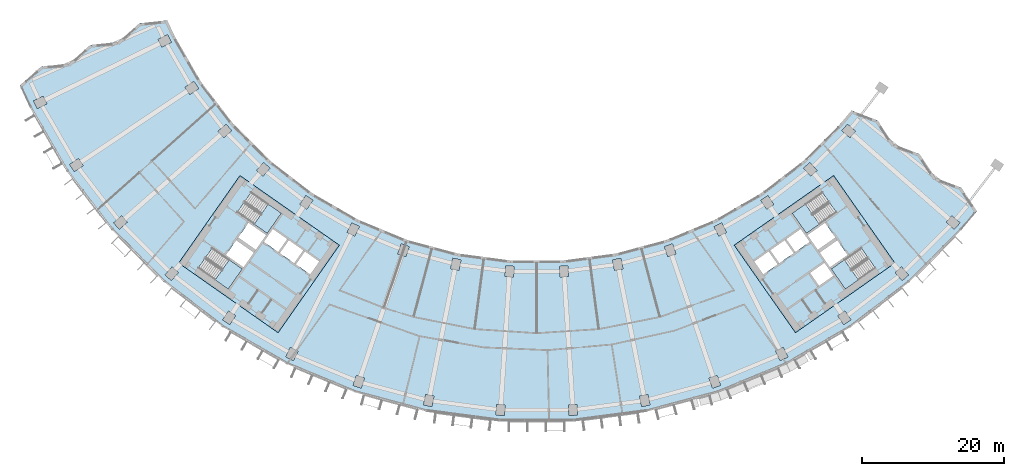
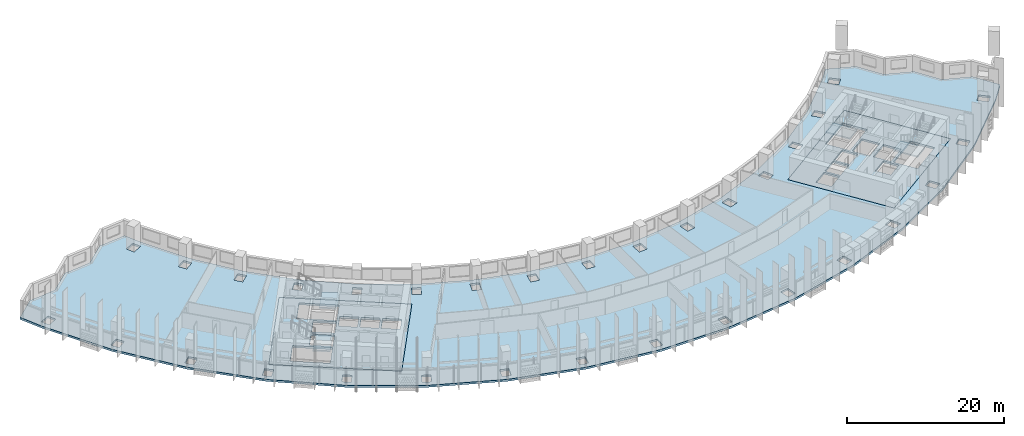
# One storey, part 2 of 29: 7 slabs, 4 elements without a shape of their own.
"""IFC4 building model written with IfcOpenShell, lengths in metres."""

from ifc_helpers import new_model, si_unit, direction, frame, origin, place, context, subcontext, project, spatial, polyline, outline, extrude, material, layer, layer_set, type_object, element, aggregate, save


model = new_model("IFC4")

# Units and contexts
model_context = context("Model", 3, precision=1e-05, world=origin(), true_north=direction((0.0, 1.0)))
body_context = subcontext(model_context, "Body", "Model", "MODEL_VIEW")
ifc_project = project(units=[si_unit("LENGTHUNIT", "METRE"), si_unit("AREAUNIT", "SQUARE_METRE"), si_unit("VOLUMEUNIT", "CUBIC_METRE"), si_unit("PLANEANGLEUNIT", "RADIAN"), si_unit("MASSUNIT", "GRAM", prefix="KILO")], contexts=[model_context])

# Site, building, storey
site_placement = place(None, origin())
site = spatial("IfcSite", under=ifc_project, at=site_placement, CompositionType="ELEMENT")
building_placement = place(site_placement, origin())
building = spatial("IfcBuilding", under=site, at=building_placement, Name="Qamariyya Broadcast Tower", CompositionType="ELEMENT")
storey_placement = place(building_placement, frame((0.0, 0.0, 132.89990234375)))
storey = spatial("IfcBuildingStorey", under=building, at=storey_placement, Name="L30", CompositionType="ELEMENT", Elevation=132.89990234375)

# Slabs
ifc_material_1 = material(Name="Concrete C40/50", Category="concrete")
ifc_layer_1 = layer(ifc_material_1, 0.300048828125)
ifc_layer_set_1 = layer_set([ifc_layer_1], Name="Core floor slab 300 mm Concrete C40/50")
slab_type_1 = type_object("IfcSlabType", Name="Core floor slab 300 mm Concrete C40/50", PredefinedType="FLOOR", material=ifc_layer_set_1)
slab_1_placement = place(storey_placement, frame((0.0, 0.0, -0.2998046875)))
element("IfcSlab", 1, at=slab_1_placement, inside=storey, type_object=slab_type_1, Name="k-W-L30-slab", PredefinedType="FLOOR", context=body_context, shape_type="SweptSolid", body=[
    extrude(outline(polyline([(-50.286376953125, -56.95751953125), (-36.32373046875, -66.734375), (-27.719970703125, -54.447021484375), (-41.6826171875, -44.67041015625), (-50.286376953125, -56.95751953125)]), holes=[polyline([(-31.80859375, -58.542724609375), (-33.8154296875, -57.137451171875), (-32.5537109375, -55.335205078125), (-30.546630859375, -56.740478515625), (-31.80859375, -58.542724609375)]), polyline([(-34.061279296875, -56.96533203125), (-36.068115234375, -55.56005859375), (-34.806396484375, -53.758056640625), (-32.79931640625, -55.163330078125), (-34.061279296875, -56.96533203125)]), polyline([(-36.31396484375, -55.387939453125), (-38.32080078125, -53.982666015625), (-37.058837890625, -52.1806640625), (-35.052001953125, -53.5859375), (-36.31396484375, -55.387939453125)]), polyline([(-39.742431640625, -55.489990234375), (-42.199951171875, -53.769287109375), (-43.6337890625, -55.817138671875), (-41.17626953125, -57.537841796875), (-39.742431640625, -55.489990234375)]), polyline([(-39.45556640625, -55.080322265625), (-41.9130859375, -53.359619140625), (-40.47900390625, -51.311767578125), (-38.021728515625, -53.032470703125), (-39.45556640625, -55.080322265625)]), polyline([(-42.06103515625, -49.837890625), (-37.849609375, -52.78662109375), (-35.870849609375, -49.960693359375), (-40.082275390625, -47.01171875), (-42.06103515625, -49.837890625)]), polyline([(-47.538818359375, -57.66064453125), (-43.3271484375, -60.609619140625), (-41.348388671875, -57.783447265625), (-45.559814453125, -54.834716796875), (-47.538818359375, -57.66064453125)])]), origin(), (0.0, 0.0, 1.0), 0.2998046875),
])
slab_2_placement = place(storey_placement, frame((0.0, 0.0, -0.2998046875)))
element("IfcSlab", 2, at=slab_2_placement, inside=storey, type_object=slab_type_1, Name="k-E-L30-slab", PredefinedType="FLOOR", context=body_context, shape_type="SweptSolid", body=[
    extrude(outline(polyline([(36.32373046875, -66.734375), (50.286376953125, -56.95751953125), (41.6826171875, -44.67041015625), (27.719970703125, -54.447021484375), (36.32373046875, -66.734375)]), holes=[polyline([(31.80859375, -58.542724609375), (33.8154296875, -57.137451171875), (32.5537109375, -55.335205078125), (30.546630859375, -56.740478515625), (31.80859375, -58.542724609375)]), polyline([(34.061279296875, -56.96533203125), (36.068115234375, -55.56005859375), (34.806396484375, -53.758056640625), (32.79931640625, -55.163330078125), (34.061279296875, -56.96533203125)]), polyline([(36.31396484375, -55.387939453125), (38.32080078125, -53.982666015625), (37.058837890625, -52.1806640625), (35.052001953125, -53.5859375), (36.31396484375, -55.387939453125)]), polyline([(38.378662109375, -58.3369140625), (40.3857421875, -56.931640625), (41.6474609375, -58.73388671875), (39.640625, -60.13916015625), (38.378662109375, -58.3369140625)]), polyline([(39.742431640625, -55.489990234375), (42.199951171875, -53.769287109375), (43.6337890625, -55.817138671875), (41.17626953125, -57.537841796875), (39.742431640625, -55.489990234375)]), polyline([(39.45556640625, -55.080322265625), (41.9130859375, -53.359619140625), (40.47900390625, -51.311767578125), (38.021728515625, -53.032470703125), (39.45556640625, -55.080322265625)]), polyline([(40.082275390625, -47.01171875), (35.870849609375, -49.960693359375), (37.849609375, -52.78662109375), (42.06103515625, -49.837890625), (40.082275390625, -47.01171875)]), polyline([(45.559814453125, -54.834716796875), (41.348388671875, -57.783447265625), (43.3271484375, -60.609619140625), (47.538818359375, -57.66064453125), (45.559814453125, -54.834716796875)])]), origin(), (0.0, 0.0, 1.0), 0.2998046875),
])
ifc_layer_2 = layer(ifc_material_1, 0.300048828125)
ifc_layer_set_2 = layer_set([ifc_layer_2], Name="Post-tensioned floor slab 300 C40/50")
slab_type_2 = type_object("IfcSlabType", Name="Post-tensioned floor slab 300 C40/50", PredefinedType="FLOOR", material=ifc_layer_set_2)
slab_3_placement = place(storey_placement, frame((0.0, 0.0, -0.2998046875)))
element("IfcSlab", 3, at=slab_3_placement, inside=storey, type_object=slab_type_2, Name="Floor slab S4 L30", PredefinedType="FLOOR", context=body_context, shape_type="SweptSolid", body=[
    extrude(outline(polyline([(-69.592529296875, -29.362548828125), (-72.56396484375, -31.983642578125), (-71.1220703125, -35.073486328125), (-65.935546875, -44.056640625), (-59.620849609375, -52.2861328125), (-52.2861328125, -59.620849609375), (-44.056640625, -65.935546875), (-35.073486328125, -71.1220703125), (-25.490234375, -75.091552734375), (-15.470703125, -77.7763671875), (-5.1865234375, -79.130126953125), (5.1865234375, -79.130126953125), (15.470703125, -77.7763671875), (25.490234375, -75.091552734375), (35.073486328125, -71.1220703125), (44.056640625, -65.935546875), (52.2861328125, -59.620849609375), (59.620849609375, -52.2861328125), (61.8134765625, -49.6748046875), (59.62158203125, -46.373779296875), (55.94140625, -44.955810546875), (53.748779296875, -41.654296875), (50.0693359375, -40.23681640625), (47.87548828125, -36.934326171875), (44.197021484375, -35.517822265625), (42.62939453125, -37.385009765625), (37.385009765625, -42.62939453125), (31.500732421875, -47.144287109375), (25.077880859375, -50.852783203125), (18.2255859375, -53.69091796875), (11.0615234375, -55.610595703125), (3.708251953125, -56.57861328125), (-3.708251953125, -56.57861328125), (-11.0615234375, -55.610595703125), (-18.2255859375, -53.69091796875), (-25.077880859375, -50.852783203125), (-31.500732421875, -47.144287109375), (-37.385009765625, -42.62939453125), (-42.62939453125, -37.385009765625), (-47.144287109375, -31.500732421875), (-50.852783203125, -25.077880859375), (-51.8837890625, -22.868408203125), (-55.803466796875, -23.284912109375), (-58.777099609375, -25.90673828125), (-62.6982421875, -26.32373046875), (-65.670654296875, -28.9453125), (-69.592529296875, -29.362548828125)]), holes=[polyline([(-5.73291015625, -78.292724609375), (-5.634765625, -76.7958984375), (-4.437255859375, -76.874267578125), (-4.535400390625, -78.37109375), (-5.73291015625, -78.292724609375)]), polyline([(-15.903076171875, -76.87451171875), (-15.6103515625, -75.4033203125), (-14.43359375, -75.637451171875), (-14.72607421875, -77.108642578125), (-15.903076171875, -76.87451171875)]), polyline([(-25.80126953125, -74.14111328125), (-25.319091796875, -72.720703125), (-24.1826171875, -73.1064453125), (-24.664794921875, -74.52685546875), (-25.80126953125, -74.14111328125)]), polyline([(-35.2578125, -70.13916015625), (-34.59423828125, -68.7939453125), (-33.51806640625, -69.324462890625), (-34.181640625, -70.669921875), (-35.2578125, -70.13916015625)]), polyline([(-44.111083984375, -64.93701171875), (-43.27783203125, -63.689697265625), (-42.280029296875, -64.3564453125), (-43.11328125, -65.603759765625), (-44.111083984375, -64.93701171875)]), polyline([(-52.209716796875, -58.623779296875), (-51.220703125, -57.49609375), (-50.318603515625, -58.287353515625), (-51.3076171875, -59.4150390625), (-52.209716796875, -58.623779296875)]), polyline([(-12.098876953125, -57.749267578125), (-11.80615234375, -56.278076171875), (-10.629150390625, -56.51220703125), (-10.921875, -57.9833984375), (-12.098876953125, -57.749267578125)]), polyline([(-41.6826171875, -44.67041015625), (-27.719970703125, -54.447021484375), (-36.32373046875, -66.734375), (-50.286376953125, -56.95751953125), (-41.6826171875, -44.67041015625)]), polyline([(-19.051025390625, -54.255615234375), (-17.91455078125, -54.641357421875), (-18.396728515625, -56.061767578125), (-19.533203125, -55.676025390625), (-19.051025390625, -54.255615234375)]), polyline([(-26.633056640625, -52.650146484375), (-25.9697265625, -51.3046875), (-24.8935546875, -51.83544921875), (-25.556884765625, -53.180908203125), (-26.633056640625, -52.650146484375)]), polyline([(-59.4150390625, -51.3076171875), (-58.287353515625, -50.318603515625), (-57.49609375, -51.220703125), (-58.623779296875, -52.209716796875), (-59.4150390625, -51.3076171875)]), polyline([(-33.277587890625, -48.723388671875), (-32.444091796875, -47.47607421875), (-31.4462890625, -48.142822265625), (-32.27978515625, -49.39013671875), (-33.277587890625, -48.723388671875)]), polyline([(-39.3525390625, -43.962890625), (-38.363525390625, -42.835205078125), (-37.461181640625, -43.62646484375), (-38.4501953125, -44.754150390625), (-39.3525390625, -43.962890625)]), polyline([(-65.603759765625, -43.11328125), (-64.3564453125, -42.280029296875), (-63.689697265625, -43.27783203125), (-64.93701171875, -44.111083984375), (-65.603759765625, -43.11328125)]), polyline([(-44.754150390625, -38.4501953125), (-43.62646484375, -37.461181640625), (-42.835205078125, -38.363525390625), (-43.962890625, -39.3525390625), (-44.754150390625, -38.4501953125)]), polyline([(-70.669921875, -34.181640625), (-69.324462890625, -33.51806640625), (-68.7939453125, -34.59423828125), (-70.13916015625, -35.2578125), (-70.669921875, -34.181640625)]), polyline([(-48.142822265625, -31.4462890625), (-47.47607421875, -32.444091796875), (-48.723388671875, -33.277587890625), (-49.39013671875, -32.27978515625), (-48.142822265625, -31.4462890625)]), polyline([(-51.83544921875, -24.8935546875), (-51.3046875, -25.9697265625), (-52.650146484375, -26.633056640625), (-53.180908203125, -25.556884765625), (-51.83544921875, -24.8935546875)]), polyline([(4.535400390625, -78.37109375), (4.437255859375, -76.874267578125), (5.634765625, -76.7958984375), (5.73291015625, -78.292724609375), (4.535400390625, -78.37109375)]), polyline([(14.72607421875, -77.108642578125), (14.43359375, -75.637451171875), (15.6103515625, -75.4033203125), (15.903076171875, -76.87451171875), (14.72607421875, -77.108642578125)]), polyline([(24.664794921875, -74.52685546875), (24.1826171875, -73.1064453125), (25.319091796875, -72.720703125), (25.80126953125, -74.14111328125), (24.664794921875, -74.52685546875)]), polyline([(34.181640625, -70.669921875), (33.51806640625, -69.324462890625), (34.59423828125, -68.7939453125), (35.2578125, -70.13916015625), (34.181640625, -70.669921875)]), polyline([(43.11328125, -65.603759765625), (42.280029296875, -64.3564453125), (43.27783203125, -63.689697265625), (44.111083984375, -64.93701171875), (43.11328125, -65.603759765625)]), polyline([(51.3076171875, -59.4150390625), (50.318603515625, -58.287353515625), (51.220703125, -57.49609375), (52.209716796875, -58.623779296875), (51.3076171875, -59.4150390625)]), polyline([(3.260009765625, -58.912841796875), (3.161865234375, -57.416015625), (4.359375, -57.337646484375), (4.45751953125, -58.83447265625), (3.260009765625, -58.912841796875)]), polyline([(-4.359375, -57.337646484375), (-3.161865234375, -57.416015625), (-3.260009765625, -58.912841796875), (-4.45751953125, -58.83447265625), (-4.359375, -57.337646484375)]), polyline([(10.629150390625, -56.51220703125), (11.80615234375, -56.278076171875), (12.098876953125, -57.749267578125), (10.921875, -57.9833984375), (10.629150390625, -56.51220703125)]), polyline([(36.32373046875, -66.734375), (27.719970703125, -54.447021484375), (41.6826171875, -44.67041015625), (50.286376953125, -56.95751953125), (36.32373046875, -66.734375)]), polyline([(18.396728515625, -56.061767578125), (17.91455078125, -54.641357421875), (19.051025390625, -54.255615234375), (19.533203125, -55.676025390625), (18.396728515625, -56.061767578125)]), polyline([(25.556884765625, -53.180908203125), (24.8935546875, -51.83544921875), (25.9697265625, -51.3046875), (26.633056640625, -52.650146484375), (25.556884765625, -53.180908203125)]), polyline([(58.623779296875, -52.209716796875), (57.49609375, -51.220703125), (58.287353515625, -50.318603515625), (59.4150390625, -51.3076171875), (58.623779296875, -52.209716796875)]), polyline([(32.27978515625, -49.39013671875), (31.4462890625, -48.142822265625), (32.444091796875, -47.47607421875), (33.277587890625, -48.723388671875), (32.27978515625, -49.39013671875)]), polyline([(38.4501953125, -44.754150390625), (37.461181640625, -43.62646484375), (38.363525390625, -42.835205078125), (39.3525390625, -43.962890625), (38.4501953125, -44.754150390625)]), polyline([(42.835205078125, -38.363525390625), (43.62646484375, -37.461181640625), (44.754150390625, -38.4501953125), (43.962890625, -39.3525390625), (42.835205078125, -38.363525390625)])]), origin(), (0.0, 0.0, 1.0), 0.2998046875),
])

# Stair, slab
ifc_material_2 = material(Name="Concrete C50/60", Category="concrete")
stair_type = type_object("IfcStairType", Name="Exit stair 22 risers of 173 mm", PredefinedType="HALF_TURN_STAIR", material=ifc_material_2)
stair_1_placement = place(storey_placement, origin())
stair_1 = element("IfcStair", 4, at=stair_1_placement, inside=storey, type_object=stair_type, Name="L30 Stair W2", PredefinedType="HALF_TURN_STAIR")
ifc_layer_3 = layer(ifc_material_2, 0.199951171875)
ifc_layer_set_3 = layer_set([ifc_layer_3], Name="Stair landing")
slab_type_3 = type_object("IfcSlabType", Name="Stair landing", PredefinedType="LANDING", material=ifc_layer_set_3)
slab_4_placement = place(storey_placement, frame((0.0, 0.0, 1.7001953125)))
slab_4 = element("IfcSlab", 5, at=slab_4_placement, type_object=slab_type_3, Name="ST-W2 landing 1", PredefinedType="LANDING", context=body_context, shape_type="SweptSolid", body=[
    extrude(outline(polyline([(-39.692138671875, -51.49658203125), (-37.849609375, -52.78662109375), (-35.870849609375, -49.960693359375), (-37.71337890625, -48.67041015625), (-39.692138671875, -51.49658203125)])), origin(), (0.0, 0.0, 1.0), 0.199951171875),
])
aggregate(stair_1, [slab_4])

stair_2_placement = place(storey_placement, origin())
stair_2 = element("IfcStair", 6, at=stair_2_placement, inside=storey, type_object=stair_type, Name="L30 Stair W1", PredefinedType="HALF_TURN_STAIR")
slab_5_placement = place(storey_placement, frame((0.0, 0.0, 1.7001953125)))
slab_5 = element("IfcSlab", 7, at=slab_5_placement, type_object=slab_type_3, Name="ST-W1 landing 1", PredefinedType="LANDING", context=body_context, shape_type="SweptSolid", body=[
    extrude(outline(polyline([(-45.169677734375, -59.319580078125), (-43.3271484375, -60.609619140625), (-41.348388671875, -57.783447265625), (-43.19091796875, -56.493408203125), (-45.169677734375, -59.319580078125)])), origin(), (0.0, 0.0, 1.0), 0.199951171875),
])
aggregate(stair_2, [slab_5])

stair_3_placement = place(storey_placement, origin())
stair_3 = element("IfcStair", 8, at=stair_3_placement, inside=storey, type_object=stair_type, Name="L30 Stair E2", PredefinedType="HALF_TURN_STAIR")
slab_6_placement = place(storey_placement, frame((0.0, 0.0, 1.7001953125)))
slab_6 = element("IfcSlab", 9, at=slab_6_placement, type_object=slab_type_3, Name="ST-E2 landing 1", PredefinedType="LANDING", context=body_context, shape_type="SweptSolid", body=[
    extrude(outline(polyline([(37.71337890625, -48.67041015625), (35.870849609375, -49.960693359375), (37.849609375, -52.78662109375), (39.692138671875, -51.49658203125), (37.71337890625, -48.67041015625)])), origin(), (0.0, 0.0, 1.0), 0.199951171875),
])
aggregate(stair_3, [slab_6])

stair_4_placement = place(storey_placement, origin())
stair_4 = element("IfcStair", 10, at=stair_4_placement, inside=storey, type_object=stair_type, Name="L30 Stair E1", PredefinedType="HALF_TURN_STAIR")
slab_7_placement = place(storey_placement, frame((0.0, 0.0, 1.7001953125)))
slab_7 = element("IfcSlab", 11, at=slab_7_placement, type_object=slab_type_3, Name="ST-E1 landing 1", PredefinedType="LANDING", context=body_context, shape_type="SweptSolid", body=[
    extrude(outline(polyline([(43.19091796875, -56.493408203125), (41.348388671875, -57.783447265625), (43.3271484375, -60.609619140625), (45.169677734375, -59.319580078125), (43.19091796875, -56.493408203125)])), origin(), (0.0, 0.0, 1.0), 0.199951171875),
])
aggregate(stair_4, [slab_7])

save(model, "model.ifc")
